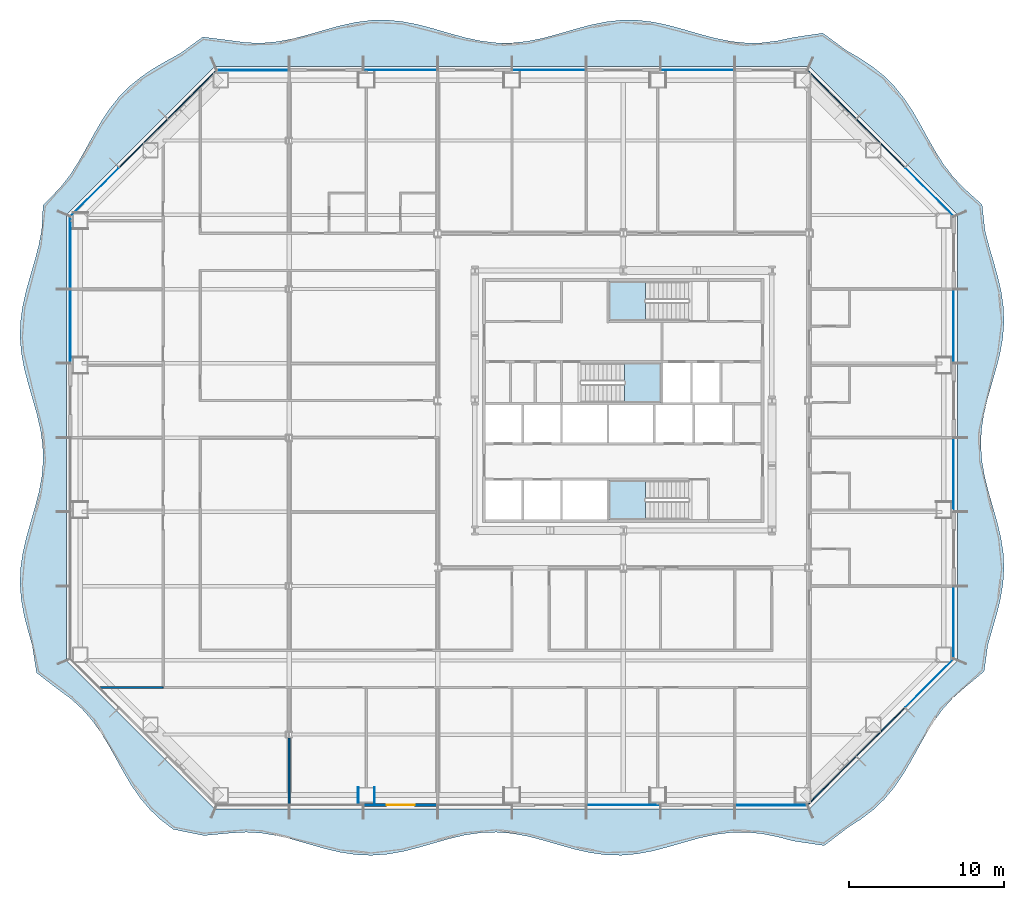
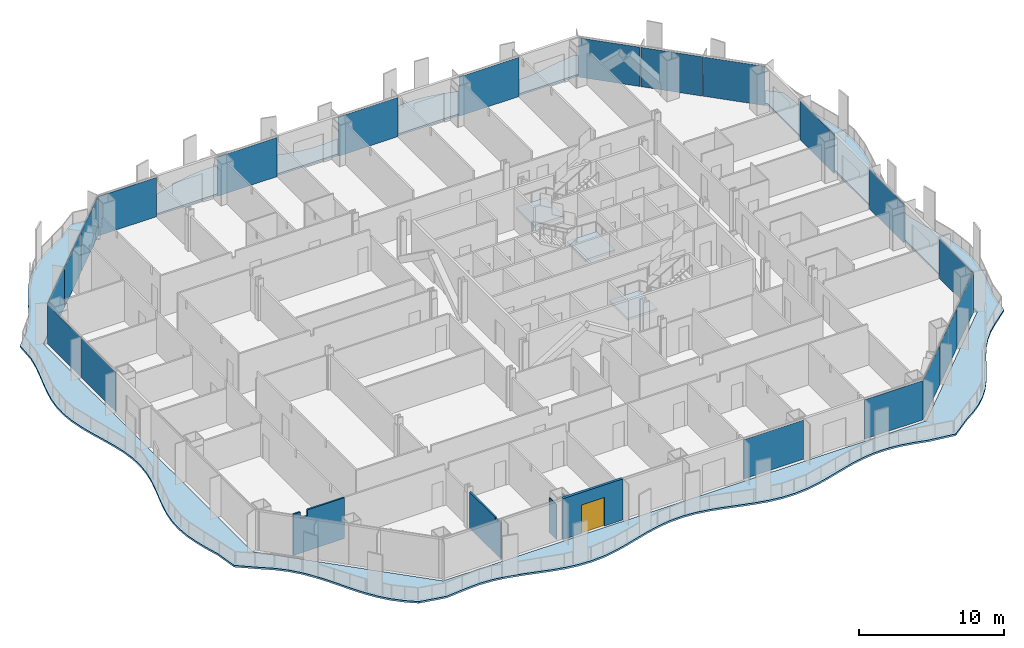
# One storey, part 5 of 20: 20 plates, 5 walls, 4 slabs, 1 door, 1 opening, 10 elements without a shape of their own.
"""IFC4 building model written with IfcOpenShell, lengths in metres."""

import ifcopenshell
import ifcopenshell.guid

model = None  # the IFC model being written
_history = None  # IfcOwnerHistory: only IFC2X3 demands one
_inside = {}  # id of a spatial element -> (the spatial element, [elements in it])
_under = {}  # id of a project, library or spatial element -> (it, [spatial elements below it])
_declared = {}  # id of a project -> (the project, [libraries it declares])
_typed = {}  # id of a type object -> (the type object, [elements of that type])
_made_of = {}  # id of a material, layer set ... -> (it, [elements and type objects made of it])


def new_model(schema):
    """Start an empty IFC model of exactly this schema.

    Asked for "IFC4X3", IfcOpenShell would pick the latest addendum, in which some entities
    have other attributes; the version numbers below select the first issue.
    IFC2X3 requires an IfcOwnerHistory on every rooted entity: one is made here for all.
    """
    global model, _history
    if schema == "IFC4X3":
        model = ifcopenshell.file(schema_version=(4, 3, 0, 0))
    else:
        model = ifcopenshell.file(schema=schema)
    _inside.clear()
    _under.clear()
    _declared.clear()
    _typed.clear()
    _made_of.clear()
    _history = None
    if model.schema == "IFC2X3":
        org = make("IfcOrganization", Name="unknown")
        user = make(
            "IfcPersonAndOrganization",
            ThePerson=make("IfcPerson", FamilyName="unknown"),
            TheOrganization=org,
        )
        app = make(
            "IfcApplication",
            ApplicationDeveloper=org,
            Version="unknown",
            ApplicationFullName="unknown",
            ApplicationIdentifier="unknown",
        )
        _history = make(
            "IfcOwnerHistory",
            OwningUser=user,
            OwningApplication=app,
            ChangeAction="ADDED",
            CreationDate=0,
        )
    return model


def make(cls, **values):
    """One entity of the class cls with the attributes given. An attribute that is None is left unset."""
    return model.create_entity(
        cls, **{name: value for name, value in values.items() if value is not None}
    )


def rooted(cls, **values):
    """An entity with a GlobalId (a new one), such as an element, a storey or a relation."""
    return make(cls, GlobalId=ifcopenshell.guid.new(), OwnerHistory=_history, **values)


def si_unit(unit_type, name, prefix=None):
    """IfcSIUnit, for example si_unit("LENGTHUNIT", "METRE", prefix="MILLI")."""
    return make("IfcSIUnit", UnitType=unit_type, Prefix=prefix, Name=name)


def assignment(units):
    """IfcUnitAssignment: the units of a project."""
    return None if units is None else make("IfcUnitAssignment", Units=units)


def point(xyz):
    """IfcCartesianPoint."""
    return None if xyz is None else make("IfcCartesianPoint", Coordinates=xyz)


def direction(xyz):
    """IfcDirection."""
    return None if xyz is None else make("IfcDirection", DirectionRatios=xyz)


def frame(location, z_axis=None, x_axis=None):
    """IfcAxis2Placement3D, a coordinate frame: its origin and axes. An axis left out is left unset."""
    return make(
        "IfcAxis2Placement3D",
        Location=point(location),
        Axis=direction(z_axis),
        RefDirection=direction(x_axis),
    )


def frame_2d(location, x_axis=None):
    """IfcAxis2Placement2D, a coordinate frame in the plane: its origin and x axis."""
    return make(
        "IfcAxis2Placement2D", Location=point(location), RefDirection=direction(x_axis)
    )


def origin():
    """The frame at (0, 0, 0) with its axes left unset."""
    return frame((0.0, 0.0, 0.0))


def origin_2d():
    """The frame at (0, 0) in the plane with its x axis left unset."""
    return frame_2d((0.0, 0.0))


def place(relative_to, where):
    """IfcLocalPlacement: puts the frame where relative to a parent placement (None: the world)."""
    return make(
        "IfcLocalPlacement", PlacementRelTo=relative_to, RelativePlacement=where
    )


def context(
    kind, dimensions, precision=None, world=None, true_north=None, identifier=None
):
    """IfcGeometricRepresentationContext, for example the 3D "Model" context."""
    return make(
        "IfcGeometricRepresentationContext",
        ContextIdentifier=identifier,
        ContextType=kind,
        CoordinateSpaceDimension=dimensions,
        Precision=precision,
        WorldCoordinateSystem=world,
        TrueNorth=true_north,
    )


def subcontext(parent, identifier, kind, view, scale=None):
    """IfcGeometricRepresentationSubContext, for example "Body" below "Model"."""
    return make(
        "IfcGeometricRepresentationSubContext",
        ContextIdentifier=identifier,
        ContextType=kind,
        ParentContext=parent,
        TargetScale=scale,
        TargetView=view,
    )


def project(units=None, contexts=None):
    """IfcProject with its units and contexts."""
    return rooted(
        "IfcProject",
        Name="project",
        RepresentationContexts=contexts,
        UnitsInContext=assignment(units),
    )


def spatial(cls, under=None, at=None, **own):
    """A site, building, storey or space (cls), placed at a placement, below another one or the project."""
    s = rooted(cls, ObjectPlacement=at, **own)
    if under is not None:
        _under.setdefault(under.id(), (under, []))[1].append(s)
    return s


def polyline(points):
    """IfcPolyline through the points."""
    return make("IfcPolyline", Points=[point(p) for p in points])


def profile(cls, at=None, kind="AREA", **sizes):
    """A parametric profile (cls). Its sizes go by their IFC names, for example OverallWidth=200.0."""
    return make(cls, ProfileType=kind, Position=at, **sizes)


def rectangle(**sizes):
    """IfcRectangleProfileDef."""
    return profile("IfcRectangleProfileDef", **sizes)


def outline(outer, holes=None, kind="AREA"):
    """IfcArbitraryClosedProfileDef: a profile drawn as a closed curve; with holes, ...WithVoids."""
    if holes is None:
        return make("IfcArbitraryClosedProfileDef", ProfileType=kind, OuterCurve=outer)
    return make(
        "IfcArbitraryProfileDefWithVoids",
        ProfileType=kind,
        OuterCurve=outer,
        InnerCurves=holes,
    )


def extrude(swept, where, along, depth):
    """IfcExtrudedAreaSolid: the profile swept, set in the frame where, extruded along a direction by depth."""
    return make(
        "IfcExtrudedAreaSolid",
        SweptArea=swept,
        Position=where,
        ExtrudedDirection=direction(along),
        Depth=depth,
    )


def shape(context_of_items, identifier, shape_type, items):
    """IfcShapeRepresentation: the items that make up one representation, for example the "Body"."""
    return make(
        "IfcShapeRepresentation",
        ContextOfItems=context_of_items,
        RepresentationIdentifier=identifier,
        RepresentationType=shape_type,
        Items=items,
    )


def material(Name=None, Category=None):
    """IfcMaterial."""
    return make("IfcMaterial", Name=Name, Category=Category)


def layer(
    of_material, thickness, ventilated=None, Name=None, Category=None, Priority=None
):
    """IfcMaterialLayer: one layer of a wall or slab, of a material (None: an air gap)."""
    return make(
        "IfcMaterialLayer",
        Material=of_material,
        LayerThickness=thickness,
        IsVentilated=ventilated,
        Name=Name,
        Category=Category,
        Priority=Priority,
    )


def layer_set(layers, Name=None):
    """IfcMaterialLayerSet."""
    return make("IfcMaterialLayerSet", MaterialLayers=layers, LayerSetName=Name)


def made_of(thing, what):
    """Note that an element or type object is made of a material, layer set ...; save() writes the relation."""
    if what is not None:
        _made_of.setdefault(what.id(), (what, []))[1].append(thing)
    return thing


def type_object(cls, material=None, **own):
    """A type object (cls), such as IfcWallType, which elements share."""
    return made_of(rooted(cls, **own), material)


def element(
    cls,
    number,
    at=None,
    inside=None,
    cuts=None,
    type_object=None,
    material=None,
    context=None,
    identifier="Body",
    shape_type=None,
    held_by="IfcProductDefinitionShape",
    body=None,
    shapes=None,
    **own,
):
    """One element of the class cls, such as IfcWall. Its Tag is "e" and its number.

    at: its placement. inside: the storey or other place that contains it. cuts: it is an
    opening in that element (IfcRelVoidsElement). A single representation is given by context,
    identifier, shape_type and body (its items); several are given by shapes. held_by: the class
    of the entity that holds the representations. save() writes the other relations.
    """
    e = rooted(cls, Tag="e%d" % number, ObjectPlacement=at, **own)
    if body is not None:
        shapes = [shape(context, identifier, shape_type, body)]
    if shapes is not None:
        e.Representation = make(held_by, Representations=shapes)
    if inside is not None:
        _inside.setdefault(inside.id(), (inside, []))[1].append(e)
    if cuts is not None:
        rooted(
            "IfcRelVoidsElement", RelatingBuildingElement=cuts, RelatedOpeningElement=e
        )
    if type_object is not None:
        _typed.setdefault(type_object.id(), (type_object, []))[1].append(e)
    return made_of(e, material)


def fill(opening, filler):
    """IfcRelFillsElement: the door or window that sits in an opening."""
    return rooted(
        "IfcRelFillsElement",
        RelatingOpeningElement=opening,
        RelatedBuildingElement=filler,
    )


def aggregate(whole, parts):
    """IfcRelAggregates: a whole, such as a stair, and the parts it consists of."""
    return rooted("IfcRelAggregates", RelatingObject=whole, RelatedObjects=parts)


def save(model, path):
    """Write the relations noted so far, then the file.

    IfcRelAggregates (storeys below a building ...), IfcRelContainedInSpatialStructure (elements
    in a storey), IfcRelDefinesByType, IfcRelAssociatesMaterial and IfcRelDeclares: one each for
    every whole, place, type object, material and project.
    """
    for whole, parts in _under.values():
        aggregate(whole, parts)
    for where, things in _inside.values():
        rooted(
            "IfcRelContainedInSpatialStructure",
            RelatedElements=things,
            RelatingStructure=where,
        )
    for kind, things in _typed.values():
        rooted("IfcRelDefinesByType", RelatedObjects=things, RelatingType=kind)
    for what, things in _made_of.values():
        rooted("IfcRelAssociatesMaterial", RelatedObjects=things, RelatingMaterial=what)
    for by, libraries in _declared.values():
        rooted("IfcRelDeclares", RelatingContext=by, RelatedDefinitions=libraries)
    model.write(path)


model = new_model("IFC4")

# Units and contexts
model_context = context("Model", 3, precision=1e-05, world=origin(), true_north=direction((0.0, 1.0)))
body_context = subcontext(model_context, "Body", "Model", "MODEL_VIEW")
ifc_project = project(units=[si_unit("LENGTHUNIT", "METRE"), si_unit("AREAUNIT", "SQUARE_METRE"), si_unit("VOLUMEUNIT", "CUBIC_METRE"), si_unit("PLANEANGLEUNIT", "RADIAN"), si_unit("MASSUNIT", "GRAM", prefix="KILO")], contexts=[model_context])

# Site, building, storey
site_placement = place(None, origin())
site = spatial("IfcSite", under=ifc_project, at=site_placement, CompositionType="ELEMENT")
building_placement = place(site_placement, origin())
building = spatial("IfcBuilding", under=site, at=building_placement, Name="Cairn Pilgrim Tower", CompositionType="ELEMENT")
storey_placement = place(building_placement, frame((0.0, 0.0, 61.800048828125)))
storey = spatial("IfcBuildingStorey", under=building, at=storey_placement, Name="L13", CompositionType="ELEMENT", Elevation=61.800048828125)

# Slab
ifc_material_1 = material(Name="Concrete C35/45", Category="concrete")
ifc_layer_1 = layer(ifc_material_1, 0.14990234375)
ifc_layer_set_1 = layer_set([ifc_layer_1], Name="BALCONY SLAB 150 CONCRETE C35/45")
slab_type_1 = type_object("IfcSlabType", Name="BALCONY SLAB 150 CONCRETE C35/45", PredefinedType="FLOOR", material=ifc_layer_set_1)
slab_1_placement = place(storey_placement, frame((0.0, 0.0, -0.150146484375)))
element("IfcSlab", 1, at=slab_1_placement, inside=storey, type_object=slab_type_1, Name="Balcony slab BS-1", PredefinedType="FLOOR", context=body_context, shape_type="SweptSolid", body=[
    extrude(outline(polyline([(-21.888427734375, -25.317138671875), (-19.912353515625, -25.7197265625), (-18.189453125, -25.555908203125), (-17.178955078125, -25.5), (-16.16845703125, -25.560791015625), (-15.157958984375, -25.728515625), (-14.1474609375, -25.977294921875), (-13.136962890625, -26.2685546875), (-12.126220703125, -26.556884765625), (-11.11572265625, -26.797607421875), (-10.105224609375, -26.953125), (-9.0947265625, -26.999267578125), (-8.084228515625, -26.92919921875), (-7.07373046875, -26.75341796875), (-6.063232421875, -26.499267578125), (-5.052734375, -26.20654296875), (-4.0419921875, -25.920654296875), (-3.031494140625, -25.685791015625), (-2.02099609375, -25.53857421875), (-1.010498046875, -25.501953125), (0.0, -25.581787109375), (1.010498046875, -25.765380859375), (2.02099609375, -26.024169921875), (3.031494140625, -26.318115234375), (4.0419921875, -26.6015625), (5.052734375, -26.830322265625), (6.063232421875, -26.96875), (7.07373046875, -26.99560546875), (8.084228515625, -26.90673828125), (9.0947265625, -26.715576171875), (10.105224609375, -26.4521484375), (11.11572265625, -26.1572265625), (12.126220703125, -25.876708984375), (13.136962890625, -25.654296875), (14.1474609375, -25.5244140625), (15.157958984375, -25.50732421875), (16.16845703125, -25.605712890625), (17.178955078125, -25.80419921875), (18.189453125, -26.072021484375), (20.1806640625, -26.367431640625), (21.748291015625, -25.177001953125), (22.583984375, -24.64111328125), (23.359130859375, -24.044677734375), (24.06103515625, -23.375244140625), (24.6875, -22.63037109375), (25.246826171875, -21.818115234375), (25.757080078125, -20.957275390625), (26.243896484375, -20.072509765625), (26.735107421875, -19.1923828125), (27.259033203125, -18.3447265625), (27.838623046875, -17.552978515625), (28.4892578125, -16.83203125), (29.2158203125, -16.187255859375), (30.514892578125, -15.1103515625), (30.754638671875, -13.406982421875), (31.0390625, -12.413818359375), (31.324951171875, -11.420654296875), (31.569580078125, -10.427490234375), (31.736083984375, -9.4345703125), (31.7998046875, -8.44140625), (31.750732421875, -7.4482421875), (31.596435546875, -6.455078125), (31.360107421875, -5.462158203125), (31.0771484375, -4.468994140625), (30.790283203125, -3.475830078125), (30.542236328125, -2.482666015625), (30.37060546875, -1.48974609375), (30.30078125, -0.49658203125), (30.34375, 0.49658203125), (30.492431640625, 1.48974609375), (30.72509765625, 2.482666015625), (31.006591796875, 3.475830078125), (31.29443359375, 4.468994140625), (31.545654296875, 5.462158203125), (31.722412109375, 6.455078125), (31.79833984375, 7.4482421875), (31.76171875, 8.44140625), (31.6181640625, 9.4345703125), (31.389404296875, 10.427490234375), (31.109619140625, 11.420654296875), (30.821044921875, 12.413818359375), (30.566650390625, 13.406982421875), (30.385009765625, 15.056396484375), (29.177490234375, 16.14892578125), (28.510009765625, 16.85302734375), (27.91552734375, 17.6298828125), (27.380859375, 18.466552734375), (26.884521484375, 19.341796875), (26.3994140625, 20.22802734375), (25.896728515625, 21.0966796875), (25.35009765625, 21.921630859375), (24.739990234375, 22.6826171875), (24.054931640625, 23.369384765625), (23.29541015625, 23.981201171875), (22.471923828125, 24.529052734375), (21.60400390625, 25.032470703125), (20.089111328125, 26.146484375), (18.189453125, 25.867431640625), (17.178955078125, 25.647705078125), (16.16845703125, 25.521728515625), (15.157958984375, 25.509033203125), (14.1474609375, 25.611328125), (13.136962890625, 25.81298828125), (12.126220703125, 26.08251953125), (11.11572265625, 26.378173828125), (10.105224609375, 26.65380859375), (9.0947265625, 26.86669921875), (8.084228515625, 26.983642578125), (7.07373046875, 26.98681640625), (6.063232421875, 26.875244140625), (5.052734375, 26.66650390625), (4.0419921875, 26.393310546875), (3.031494140625, 26.097412109375), (2.02099609375, 25.825439453125), (1.010498046875, 25.61962890625), (0.0, 25.511474609375), (-1.010498046875, 25.518310546875), (-2.02099609375, 25.638671875), (-3.031494140625, 25.854248046875), (-4.0419921875, 26.131103515625), (-5.052734375, 26.4267578125), (-6.063232421875, 26.694580078125), (-7.07373046875, 26.8935546875), (-8.084228515625, 26.992431640625), (-9.0947265625, 26.975830078125), (-10.105224609375, 26.846435546875), (-11.11572265625, 26.62451171875), (-12.126220703125, 26.34423828125), (-13.136962890625, 26.04931640625), (-14.1474609375, 25.78564453125), (-15.157958984375, 25.593994140625), (-16.16845703125, 25.50439453125), (-17.178955078125, 25.53076171875), (-18.189453125, 25.668701171875), (-19.98583984375, 25.897216796875), (-21.4189453125, 24.84765625), (-22.304931640625, 24.362060546875), (-23.170166015625, 23.85595703125), (-23.989501953125, 23.3037109375), (-24.743408203125, 22.686279296875), (-25.42236328125, 21.99365234375), (-26.027099609375, 21.22705078125), (-26.5693359375, 20.39794921875), (-27.06982421875, 19.527099609375), (-27.554931640625, 18.640625), (-28.05322265625, 17.767578125), (-28.591796875, 16.9345703125), (-29.191650390625, 16.1630859375), (-30.30615234375, 15.02392578125), (-30.39892578125, 13.406982421875), (-30.58935546875, 12.413818359375), (-30.848876953125, 11.420654296875), (-31.138671875, 10.427490234375), (-31.4150390625, 9.4345703125), (-31.63671875, 8.44140625), (-31.770263671875, 7.4482421875), (-31.795654296875, 6.455078125), (-31.708984375, 5.462158203125), (-31.5234375, 4.468994140625), (-31.266845703125, 3.475830078125), (-30.9775390625, 2.482666015625), (-30.69921875, 1.48974609375), (-30.473388671875, 0.49658203125), (-30.33447265625, -0.49658203125), (-30.302734375, -1.48974609375), (-30.38330078125, -2.482666015625), (-30.56396484375, -3.475830078125), (-30.81787109375, -4.468994140625), (-31.1064453125, -5.462158203125), (-31.386474609375, -6.455078125), (-31.615966796875, -7.4482421875), (-31.760498046875, -8.44140625), (-31.79833984375, -9.4345703125), (-31.723876953125, -10.427490234375), (-31.548095703125, -11.420654296875), (-31.297607421875, -12.413818359375), (-31.010009765625, -13.406982421875), (-30.728271484375, -15.19873046875), (-29.31591796875, -16.287353515625), (-28.5244140625, -16.8671875), (-27.803466796875, -17.517822265625), (-27.158935546875, -18.24462890625), (-26.584228515625, -19.041259765625), (-26.063720703125, -19.892333984375), (-25.57373046875, -20.77392578125), (-25.08642578125, -21.65771484375), (-24.572998046875, -22.515869140625), (-24.0087890625, -23.3232421875), (-23.376708984375, -24.0625), (-22.6689453125, -24.72607421875), (-21.888427734375, -25.317138671875)]), holes=[polyline([(19.199951171875, -24.0), (-19.199951171875, -24.0), (-28.800048828125, -14.39990234375), (-28.800048828125, 14.39990234375), (-19.199951171875, 24.0), (19.199951171875, 24.0), (28.800048828125, 14.39990234375), (28.800048828125, -14.39990234375), (19.199951171875, -24.0)])]), origin(), (0.0, 0.0, 1.0), 0.150146484375),
])

# Curtain wall, plate
ifc_material_2 = material(Name="Aluminium alloy 6063-T6 bronze anodised with Bronze tinted laminated low-E glass 8+16+8.8", Category="aluminium")
curtain_wall_type_1 = type_object("IfcCurtainWallType", Name="CHAMFER CORNER CURTAIN WALL", PredefinedType="NOTDEFINED", material=ifc_material_2)
curtain_wall_1_placement = place(storey_placement, origin())
curtain_wall_1 = element("IfcCurtainWall", 2, at=curtain_wall_1_placement, inside=storey, type_object=curtain_wall_type_1, Name="Chamfer Corner Curtain Wall SE", PredefinedType="NOTDEFINED")
ifc_material_3 = material(Name="Bronze anodised aluminium spandrel panel with mineral wool insulation", Category="aluminium")
ifc_layer_2 = layer(ifc_material_3, 0.06005859375)
ifc_layer_set_2 = layer_set([ifc_layer_2], Name="SPANDREL PANEL 4386x3300")
plate_type_1 = type_object("IfcPlateType", Name="SPANDREL PANEL 4386x3300", PredefinedType="CURTAIN_PANEL", material=ifc_layer_set_2)
plate_1_placement = place(storey_placement, frame((20.675537109375, -22.1708984375, 0.0), z_axis=(0.0, 0.0, 1.0), x_axis=(0.707106781187, 0.707106781187, 0.0)))
plate_1 = element("IfcPlate", 3, at=plate_1_placement, type_object=plate_type_1, Name="Spandrel Panel SE1-1", PredefinedType="CURTAIN_PANEL", context=body_context, shape_type="SweptSolid", body=[
    extrude(rectangle(XDim=4.386474609375, YDim=0.06005859375, at=origin_2d()), origin(), (0.0, 0.0, 1.0), 3.300048828125),
])

curtain_wall_2_placement = place(storey_placement, origin())
curtain_wall_2 = element("IfcCurtainWall", 4, at=curtain_wall_2_placement, inside=storey, type_object=curtain_wall_type_1, Name="Chamfer Corner Curtain Wall NE", PredefinedType="NOTDEFINED")
plate_2_placement = place(storey_placement, frame((20.675537109375, 22.1708984375, 0.0), z_axis=(0.0, 0.0, 1.0), x_axis=(-0.707106781187, 0.707106781187, 0.0)))
plate_2 = element("IfcPlate", 5, at=plate_2_placement, type_object=plate_type_1, Name="Spandrel Panel NE3-1", PredefinedType="CURTAIN_PANEL", context=body_context, shape_type="SweptSolid", body=[
    extrude(rectangle(XDim=4.386474609375, YDim=0.06005859375, at=origin_2d()), origin(), (0.0, 0.0, 1.0), 3.300048828125),
])

curtain_wall_3_placement = place(storey_placement, origin())
curtain_wall_3 = element("IfcCurtainWall", 6, at=curtain_wall_3_placement, inside=storey, type_object=curtain_wall_type_1, Name="Chamfer Corner Curtain Wall NW", PredefinedType="NOTDEFINED")
plate_3_placement = place(storey_placement, frame((-20.675537109375, 22.1708984375, 0.0), z_axis=(0.0, 0.0, 1.0), x_axis=(-0.707106781187, -0.707106781187, 0.0)))
plate_3 = element("IfcPlate", 7, at=plate_3_placement, type_object=plate_type_1, Name="Spandrel Panel NW1-1", PredefinedType="CURTAIN_PANEL", context=body_context, shape_type="SweptSolid", body=[
    extrude(rectangle(XDim=4.386474609375, YDim=0.06005859375, at=origin_2d()), origin(), (0.0, 0.0, 1.0), 3.300048828125),
])

# Plate
ifc_layer_3 = layer(ifc_material_3, 0.06005859375)
ifc_layer_set_3 = layer_set([ifc_layer_3], Name="SPANDREL PANEL 4396x3300")
plate_type_2 = type_object("IfcPlateType", Name="SPANDREL PANEL 4396x3300", PredefinedType="CURTAIN_PANEL", material=ifc_layer_set_3)
plate_4_placement = place(storey_placement, frame((23.8232421875, -19.023193359375, 0.0), z_axis=(0.0, 0.0, 1.0), x_axis=(0.707106781187, 0.707106781187, 0.0)))
plate_4 = element("IfcPlate", 8, at=plate_4_placement, type_object=plate_type_2, Name="Spandrel Panel SE2-1", PredefinedType="CURTAIN_PANEL", context=body_context, shape_type="SweptSolid", body=[
    extrude(rectangle(XDim=4.396484375, YDim=0.06005859375, at=origin_2d()), origin(), (0.0, 0.0, 1.0), 3.300048828125),
])

plate_5_placement = place(storey_placement, frame((23.8232421875, 19.023193359375, 0.0), z_axis=(0.0, 0.0, 1.0), x_axis=(-0.707106781187, 0.707106781187, 0.0)))
plate_5 = element("IfcPlate", 9, at=plate_5_placement, type_object=plate_type_2, Name="Spandrel Panel NE2-1", PredefinedType="CURTAIN_PANEL", context=body_context, shape_type="SweptSolid", body=[
    extrude(rectangle(XDim=4.396484375, YDim=0.06005859375, at=origin_2d()), origin(), (0.0, 0.0, 1.0), 3.300048828125),
])

plate_6_placement = place(storey_placement, frame((-23.8232421875, 19.023193359375, 0.0), z_axis=(0.0, 0.0, 1.0), x_axis=(-0.707106781187, -0.707106781187, 0.0)))
plate_6 = element("IfcPlate", 10, at=plate_6_placement, type_object=plate_type_2, Name="Spandrel Panel NW2-1", PredefinedType="CURTAIN_PANEL", context=body_context, shape_type="SweptSolid", body=[
    extrude(rectangle(XDim=4.396484375, YDim=0.06005859375, at=origin_2d()), origin(), (0.0, 0.0, 1.0), 3.300048828125),
])

# Curtain wall, plate
curtain_wall_type_2 = type_object("IfcCurtainWallType", Name="TOWER STICK CURTAIN WALL NS", PredefinedType="NOTDEFINED", material=ifc_material_2)
curtain_wall_4_placement = place(storey_placement, origin())
curtain_wall_4 = element("IfcCurtainWall", 11, at=curtain_wall_4_placement, inside=storey, type_object=curtain_wall_type_2, Name="Tower Stick Curtain Wall Ns S", PredefinedType="NOTDEFINED")
ifc_layer_4 = layer(ifc_material_3, 0.06005859375)
ifc_layer_set_4 = layer_set([ifc_layer_4], Name="SPANDREL PANEL 4626x3300")
plate_type_3 = type_object("IfcPlateType", Name="SPANDREL PANEL 4626x3300", PredefinedType="CURTAIN_PANEL", material=ifc_layer_set_4)
plate_7_placement = place(storey_placement, frame((16.7431640625, -23.75, 0.0), z_axis=(0.0, 0.0, 1.0), x_axis=(1.0, 0.0, 0.0)))
plate_7 = element("IfcPlate", 12, at=plate_7_placement, type_object=plate_type_3, Name="Spandrel Panel S8-1", PredefinedType="CURTAIN_PANEL", context=body_context, shape_type="SweptSolid", body=[
    extrude(rectangle(XDim=4.62646484375, YDim=0.06005859375, at=origin_2d()), origin(), (0.0, 0.0, 1.0), 3.300048828125),
])

curtain_wall_5_placement = place(storey_placement, origin())
curtain_wall_5 = element("IfcCurtainWall", 13, at=curtain_wall_5_placement, inside=storey, type_object=curtain_wall_type_2, Name="Tower Stick Curtain Wall Ns N", PredefinedType="NOTDEFINED")
plate_8_placement = place(storey_placement, frame((-16.7431640625, 23.75, 0.0), z_axis=(0.0, 0.0, 1.0), x_axis=(-1.0, 0.0, 0.0)))
plate_8 = element("IfcPlate", 14, at=plate_8_placement, type_object=plate_type_3, Name="Spandrel Panel N8-1", PredefinedType="CURTAIN_PANEL", context=body_context, shape_type="SweptSolid", body=[
    extrude(rectangle(XDim=4.62646484375, YDim=0.06005859375, at=origin_2d()), origin(), (0.0, 0.0, 1.0), 3.300048828125),
])

# Stair, slab
ifc_material_4 = material(Name="Concrete C32/40", Category="concrete")
stair_type = type_object("IfcStairType", Name="EXIT STAIR 1200", PredefinedType="HALF_TURN_STAIR", material=ifc_material_4)
stair_1_placement = place(storey_placement, origin())
stair_1 = element("IfcStair", 15, at=stair_1_placement, inside=storey, type_object=stair_type, Name="L13 Exit Stair A", PredefinedType="HALF_TURN_STAIR")
ifc_layer_5 = layer(ifc_material_4, 0.199951171875)
ifc_layer_set_5 = layer_set([ifc_layer_5], Name="STAIR LANDING 200")
slab_type_2 = type_object("IfcSlabType", Name="STAIR LANDING 200", PredefinedType="LANDING", material=ifc_layer_set_5)
slab_2_placement = place(storey_placement, frame((0.0, 0.0, 1.599853515625)))
slab_2 = element("IfcSlab", 16, at=slab_2_placement, type_object=slab_type_2, Name="ST-A landing 1", PredefinedType="LANDING", context=body_context, shape_type="SweptSolid", body=[
    extrude(outline(polyline([(8.625, -2.77490234375), (6.27490234375, -2.77490234375), (6.27490234375, -5.300048828125), (8.625, -5.300048828125), (8.625, -2.77490234375)])), origin(), (0.0, 0.0, 1.0), 0.2001953125),
])
aggregate(stair_1, [slab_2])

stair_2_placement = place(storey_placement, origin())
stair_2 = element("IfcStair", 17, at=stair_2_placement, inside=storey, type_object=stair_type, Name="L13 Exit Stair B", PredefinedType="HALF_TURN_STAIR")
slab_3_placement = place(storey_placement, frame((0.0, 0.0, 1.599853515625)))
slab_3 = element("IfcSlab", 18, at=slab_3_placement, type_object=slab_type_2, Name="ST-B landing 1", PredefinedType="LANDING", context=body_context, shape_type="SweptSolid", body=[
    extrude(outline(polyline([(7.27490234375, 2.27490234375), (9.625, 2.27490234375), (9.625, 4.824951171875), (7.27490234375, 4.824951171875), (7.27490234375, 2.27490234375)])), origin(), (0.0, 0.0, 1.0), 0.2001953125),
])
aggregate(stair_2, [slab_3])

stair_3_placement = place(storey_placement, origin())
stair_3 = element("IfcStair", 19, at=stair_3_placement, inside=storey, type_object=stair_type, Name="L13 Exit Stair C", PredefinedType="HALF_TURN_STAIR")
slab_4_placement = place(storey_placement, frame((0.0, 0.0, 1.599853515625)))
slab_4 = element("IfcSlab", 20, at=slab_4_placement, type_object=slab_type_2, Name="ST-C landing 1", PredefinedType="LANDING", context=body_context, shape_type="SweptSolid", body=[
    extrude(outline(polyline([(8.625, 10.10009765625), (6.27490234375, 10.10009765625), (6.27490234375, 7.574951171875), (8.625, 7.574951171875), (8.625, 10.10009765625)])), origin(), (0.0, 0.0, 1.0), 0.2001953125),
])
aggregate(stair_3, [slab_4])

# Plate
ifc_material_5 = material(Name="Bronze tinted laminated low-E glass 8+16+8.8", Category="glass")
ifc_layer_6 = layer(ifc_material_5, 0.033935546875)
ifc_layer_set_6 = layer_set([ifc_layer_6], Name="VISION GLAZING 4386x3300")
plate_type_4 = type_object("IfcPlateType", Name="VISION GLAZING 4386x3300", PredefinedType="CURTAIN_PANEL", material=ifc_layer_set_6)
plate_9_placement = place(storey_placement, frame((26.970947265625, -15.87548828125, 0.0), z_axis=(0.0, 0.0, 1.0), x_axis=(0.707106781187, 0.707106781187, 0.0)))
plate_9 = element("IfcPlate", 21, at=plate_9_placement, type_object=plate_type_4, Name="Vision Glazing SE3-1", PredefinedType="CURTAIN_PANEL", context=body_context, shape_type="SweptSolid", body=[
    extrude(rectangle(XDim=4.386474609375, YDim=0.033935546875, at=origin_2d()), origin(), (0.0, 0.0, 1.0), 3.300048828125),
])

aggregate(curtain_wall_1, [plate_1, plate_4, plate_9])

plate_10_placement = place(storey_placement, frame((26.970947265625, 15.87548828125, 0.0), z_axis=(0.0, 0.0, 1.0), x_axis=(-0.707106781187, 0.707106781187, 0.0)))
plate_10 = element("IfcPlate", 22, at=plate_10_placement, type_object=plate_type_4, Name="Vision Glazing NE1-1", PredefinedType="CURTAIN_PANEL", context=body_context, shape_type="SweptSolid", body=[
    extrude(rectangle(XDim=4.386474609375, YDim=0.033935546875, at=origin_2d()), origin(), (0.0, 0.0, 1.0), 3.300048828125),
])

aggregate(curtain_wall_2, [plate_10, plate_5, plate_2])

plate_11_placement = place(storey_placement, frame((-26.970947265625, 15.87548828125, 0.0), z_axis=(0.0, 0.0, 1.0), x_axis=(-0.707106781187, -0.707106781187, 0.0)))
plate_11 = element("IfcPlate", 23, at=plate_11_placement, type_object=plate_type_4, Name="Vision Glazing NW3-1", PredefinedType="CURTAIN_PANEL", context=body_context, shape_type="SweptSolid", body=[
    extrude(rectangle(XDim=4.386474609375, YDim=0.033935546875, at=origin_2d()), origin(), (0.0, 0.0, 1.0), 3.300048828125),
])

aggregate(curtain_wall_3, [plate_3, plate_6, plate_11])

# Curtain wall, plate
curtain_wall_type_3 = type_object("IfcCurtainWallType", Name="TOWER STICK CURTAIN WALL EW", PredefinedType="NOTDEFINED", material=ifc_material_2)
curtain_wall_6_placement = place(storey_placement, origin())
curtain_wall_6 = element("IfcCurtainWall", 24, at=curtain_wall_6_placement, inside=storey, type_object=curtain_wall_type_3, Name="Tower Stick Curtain Wall Ew E", PredefinedType="NOTDEFINED")
ifc_layer_7 = layer(ifc_material_5, 0.033935546875)
ifc_layer_set_7 = layer_set([ifc_layer_7], Name="VISION GLAZING 4626x3300")
plate_type_5 = type_object("IfcPlateType", Name="VISION GLAZING 4626x3300", PredefinedType="CURTAIN_PANEL", material=ifc_layer_set_7)
plate_12_placement = place(storey_placement, frame((28.550048828125, -11.943115234375, 0.0), z_axis=(0.0, 0.0, 1.0), x_axis=(0.0, 1.0, 0.0)))
plate_12 = element("IfcPlate", 25, at=plate_12_placement, type_object=plate_type_5, Name="Vision Glazing E1-1", PredefinedType="CURTAIN_PANEL", context=body_context, shape_type="SweptSolid", body=[
    extrude(rectangle(XDim=4.62646484375, YDim=0.033935546875, at=origin_2d()), origin(), (0.0, 0.0, 1.0), 3.300048828125),
])

curtain_wall_7_placement = place(storey_placement, origin())
curtain_wall_7 = element("IfcCurtainWall", 26, at=curtain_wall_7_placement, inside=storey, type_object=curtain_wall_type_3, Name="Tower Stick Curtain Wall Ew W", PredefinedType="NOTDEFINED")
plate_13_placement = place(storey_placement, frame((-28.550048828125, 11.943115234375, 0.0), z_axis=(0.0, 0.0, 1.0), x_axis=(0.0, -1.0, 0.0)))
plate_13 = element("IfcPlate", 27, at=plate_13_placement, type_object=plate_type_5, Name="Vision Glazing W1-1", PredefinedType="CURTAIN_PANEL", context=body_context, shape_type="SweptSolid", body=[
    extrude(rectangle(XDim=4.62646484375, YDim=0.033935546875, at=origin_2d()), origin(), (0.0, 0.0, 1.0), 3.300048828125),
])

# Plate
ifc_layer_8 = layer(ifc_material_5, 0.033935546875)
ifc_layer_set_8 = layer_set([ifc_layer_8], Name="VISION GLAZING 4740x3300")
plate_type_6 = type_object("IfcPlateType", Name="VISION GLAZING 4740x3300", PredefinedType="CURTAIN_PANEL", material=ifc_layer_set_8)
plate_14_placement = place(storey_placement, frame((7.199951171875, -23.75, 0.0), z_axis=(0.0, 0.0, 1.0), x_axis=(1.0, 0.0, 0.0)))
plate_14 = element("IfcPlate", 28, at=plate_14_placement, type_object=plate_type_6, Name="Vision Glazing S6-1", PredefinedType="CURTAIN_PANEL", context=body_context, shape_type="SweptSolid", body=[
    extrude(rectangle(XDim=4.739990234375, YDim=0.033935546875, at=origin_2d()), origin(), (0.0, 0.0, 1.0), 3.300048828125),
])

aggregate(curtain_wall_4, [plate_14, plate_7])

plate_15_placement = place(storey_placement, frame((28.550048828125, -2.39990234375, 0.0), z_axis=(0.0, 0.0, 1.0), x_axis=(0.0, 1.0, 0.0)))
plate_15 = element("IfcPlate", 29, at=plate_15_placement, type_object=plate_type_6, Name="Vision Glazing E3-1", PredefinedType="CURTAIN_PANEL", context=body_context, shape_type="SweptSolid", body=[
    extrude(rectangle(XDim=4.739990234375, YDim=0.033935546875, at=origin_2d()), origin(), (0.0, 0.0, 1.0), 3.300048828125),
])

plate_16_placement = place(storey_placement, frame((28.550048828125, 7.199951171875, 0.0), z_axis=(0.0, 0.0, 1.0), x_axis=(0.0, 1.0, 0.0)))
plate_16 = element("IfcPlate", 30, at=plate_16_placement, type_object=plate_type_6, Name="Vision Glazing E5-1", PredefinedType="CURTAIN_PANEL", context=body_context, shape_type="SweptSolid", body=[
    extrude(rectangle(XDim=4.739990234375, YDim=0.033935546875, at=origin_2d()), origin(), (0.0, 0.0, 1.0), 3.300048828125),
])

aggregate(curtain_wall_6, [plate_12, plate_15, plate_16])

plate_17_placement = place(storey_placement, frame((12.0, 23.75, 0.0), z_axis=(0.0, 0.0, 1.0), x_axis=(-1.0, 0.0, 0.0)))
plate_17 = element("IfcPlate", 31, at=plate_17_placement, type_object=plate_type_6, Name="Vision Glazing N2-1", PredefinedType="CURTAIN_PANEL", context=body_context, shape_type="SweptSolid", body=[
    extrude(rectangle(XDim=4.739990234375, YDim=0.033935546875, at=origin_2d()), origin(), (0.0, 0.0, 1.0), 3.300048828125),
])

plate_18_placement = place(storey_placement, frame((2.39990234375, 23.75, 0.0), z_axis=(0.0, 0.0, 1.0), x_axis=(-1.0, 0.0, 0.0)))
plate_18 = element("IfcPlate", 32, at=plate_18_placement, type_object=plate_type_6, Name="Vision Glazing N4-1", PredefinedType="CURTAIN_PANEL", context=body_context, shape_type="SweptSolid", body=[
    extrude(rectangle(XDim=4.739990234375, YDim=0.033935546875, at=origin_2d()), origin(), (0.0, 0.0, 1.0), 3.300048828125),
])

plate_19_placement = place(storey_placement, frame((-7.199951171875, 23.75, 0.0), z_axis=(0.0, 0.0, 1.0), x_axis=(-1.0, 0.0, 0.0)))
plate_19 = element("IfcPlate", 33, at=plate_19_placement, type_object=plate_type_6, Name="Vision Glazing N6-1", PredefinedType="CURTAIN_PANEL", context=body_context, shape_type="SweptSolid", body=[
    extrude(rectangle(XDim=4.739990234375, YDim=0.033935546875, at=origin_2d()), origin(), (0.0, 0.0, 1.0), 3.300048828125),
])

aggregate(curtain_wall_5, [plate_17, plate_18, plate_19, plate_8])

plate_20_placement = place(storey_placement, frame((-28.550048828125, 7.199951171875, 0.0), z_axis=(0.0, 0.0, 1.0), x_axis=(0.0, -1.0, 0.0)))
plate_20 = element("IfcPlate", 34, at=plate_20_placement, type_object=plate_type_6, Name="Vision Glazing W2-1", PredefinedType="CURTAIN_PANEL", context=body_context, shape_type="SweptSolid", body=[
    extrude(rectangle(XDim=4.739990234375, YDim=0.033935546875, at=origin_2d()), origin(), (0.0, 0.0, 1.0), 3.300048828125),
])

aggregate(curtain_wall_7, [plate_13, plate_20])

# Wall, opening, door
ifc_material_6 = material(Name="Bronze anodised aluminium insulated sandwich panel with mineral wool fill", Category="aluminium")
ifc_layer_9 = layer(ifc_material_6, 0.199951171875)
ifc_layer_set_9 = layer_set([ifc_layer_9], Name="BRONZE INFILL FRAME WALL 200")
wall_type_1 = type_object("IfcWallType", Name="BRONZE INFILL FRAME WALL 200", PredefinedType="NOTDEFINED", material=ifc_layer_set_9)
wall_1_placement = place(storey_placement, frame((-9.570068359375, -23.75, 0.0), z_axis=(0.0, 0.0, 1.0), x_axis=(1.0, 0.0, 0.0)))
wall_1 = element("IfcWall", 35, at=wall_1_placement, inside=storey, type_object=wall_type_1, Name="Bronze infill frame wall IW-S3", PredefinedType="NOTDEFINED", context=body_context, shape_type="SweptSolid", body=[
    extrude(rectangle(XDim=4.739990234375, YDim=0.199951171875, at=frame_2d((2.3701171875, 0.0))), origin(), (0.0, 0.0, 1.0), 3.449951171875),
])
opening_placement = place(wall_1_placement, frame((1.469970703125, 0.0, 0.0)))
opening = element("IfcOpeningElement", 36, at=opening_placement, cuts=wall_1, Name="Opening 1303B", PredefinedType="OPENING", context=body_context, shape_type="SweptSolid", body=[
    extrude(rectangle(XDim=1.800048828125, YDim=2.39990234375, at=frame_2d((0.89990234375, 1.199951171875))), frame((0.0, 0.10986328125, 0.0), z_axis=(0.0, -1.0, 0.0), x_axis=(1.0, 0.0, 0.0)), (0.0, 0.0, 1.0), 0.219970703125),
])
ifc_material_7 = material(Name="Bronze anodised aluminium frame with tinted low-E glass", Category="aluminium")
door_type = type_object("IfcDoorType", Name="BALCONY SLIDING DOOR 1800x2400", OperationType="DOUBLE_DOOR_SLIDING", PredefinedType="DOOR", material=ifc_material_7)
door_placement = place(opening_placement, origin())
door = element("IfcDoor", 37, at=door_placement, inside=storey, type_object=door_type, Name="Balcony sliding door 1303B", OperationType="SINGLE_SWING_LEFT", OverallHeight=2.39990234375, OverallWidth=1.800048828125, PredefinedType="DOOR", context=body_context, shape_type="SweptSolid", body=[
    extrude(rectangle(XDim=1.800048828125, YDim=2.39990234375, at=frame_2d((0.89990234375, 1.199951171875))), frame((0.0, 0.02490234375, 0.0), z_axis=(0.0, -1.0, 0.0), x_axis=(1.0, 0.0, 0.0)), (0.0, 0.0, 1.0), 0.050048828125),
])
fill(opening, door)

# Walls
ifc_material_8 = material(Name="Gypsum partition")
ifc_layer_10 = layer(ifc_material_8, 0.125)
ifc_layer_set_10 = layer_set([ifc_layer_10], Name="PARTITION 125 DRYWALL EI 60")
wall_type_2 = type_object("IfcWallType", Name="PARTITION 125 DRYWALL EI 60", PredefinedType="PARTITIONING", material=ifc_layer_set_10)
wall_2_placement = place(storey_placement, frame((-14.39990234375, -23.68994140625, 0.0), z_axis=(0.0, 0.0, 1.0), x_axis=(0.0, 1.0, 0.0)))
element("IfcWall", 38, at=wall_2_placement, inside=storey, type_object=wall_type_2, Name="PARTITION W001", PredefinedType="PARTITIONING", context=body_context, shape_type="SweptSolid", body=[
    extrude(outline(polyline([(0.0, 0.0), (4.27734375, 0.0), (4.277587890625, 3.030029296875), (0.739990234375, 3.030029296875), (0.738037109375, 2.929931640625), (0.43994140625, 2.929931640625), (0.43798828125, 3.030029296875), (0.0, 3.030029296875), (0.0, 0.0)])), frame((0.0, 0.0625, 0.0), z_axis=(0.0, -1.0, 0.0), x_axis=(1.0, 0.0, 0.0)), (0.0, 0.0, 1.0), 0.125),
])
wall_3_placement = place(storey_placement, frame((-26.60693359375, -16.14990234375, 0.0), z_axis=(0.0, 0.0, 1.0), x_axis=(1.0, 0.0, 0.0)))
element("IfcWall", 39, at=wall_3_placement, inside=storey, type_object=wall_type_2, Name="PARTITION W011", PredefinedType="PARTITIONING", context=body_context, shape_type="SweptSolid", body=[
    extrude(outline(polyline([(0.0, 0.0), (4.056884765625, 0.0), (4.056884765625, 3.449951171875), (1.1044921875, 3.449951171875), (1.102294921875, 2.929931640625), (0.55517578125, 2.929931640625), (0.552978515625, 3.449951171875), (0.0, 3.449951171875), (0.0, 0.0)])), frame((0.0, 0.0625, 0.0), z_axis=(0.0, -1.0, 0.0), x_axis=(1.0, 0.0, 0.0)), (0.0, 0.0, 1.0), 0.125),
])
ifc_layer_11 = layer(ifc_material_8, 0.050048828125)
ifc_layer_set_11 = layer_set([ifc_layer_11], Name="PARTITION 50 DRYWALL EI 60")
wall_type_3 = type_object("IfcWallType", Name="PARTITION 50 DRYWALL EI 60", PredefinedType="PARTITIONING", material=ifc_layer_set_11)
for number, where, z_axis, x_axis, name in (
    (40, (-9.938720703125, -23.60009765625, 0.0), (0.0, 0.0, 1.0), (0.0, 1.0, 0.0), "COLUMN CASING WC06"),
    (41, (-8.888671875, -23.60009765625, 0.0), (0.0, 0.0, 1.0), (0.0, 1.0, 0.0), "COLUMN CASING WC07"),
):
    element("IfcWall", number, at=place(storey_placement, frame(where, z_axis=z_axis, x_axis=x_axis)), inside=storey, type_object=wall_type_3, Name=name, PredefinedType="PARTITIONING", context=body_context, shape_type="SweptSolid", body=[
        extrude(rectangle(XDim=1.0, YDim=0.050048828125, at=frame_2d((0.5, 0.0))), origin(), (0.0, 0.0, 1.0), 2.929931640625),
    ])

save(model, "model.ifc")
